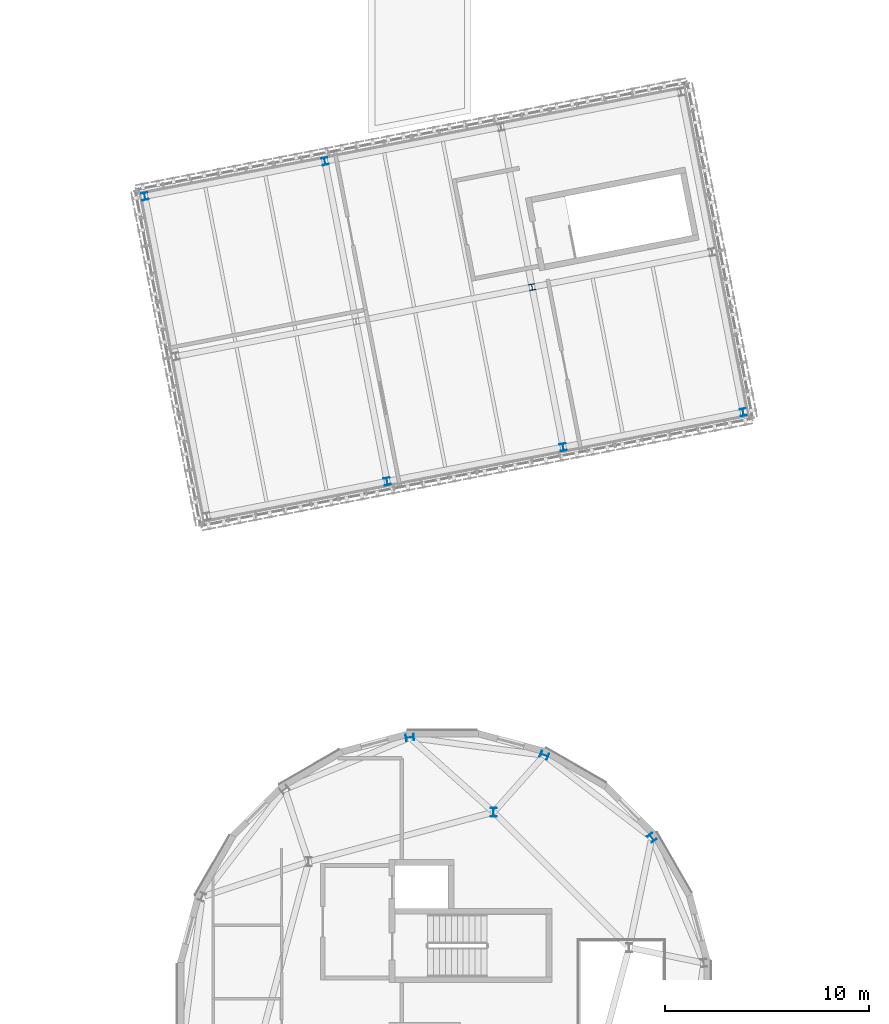
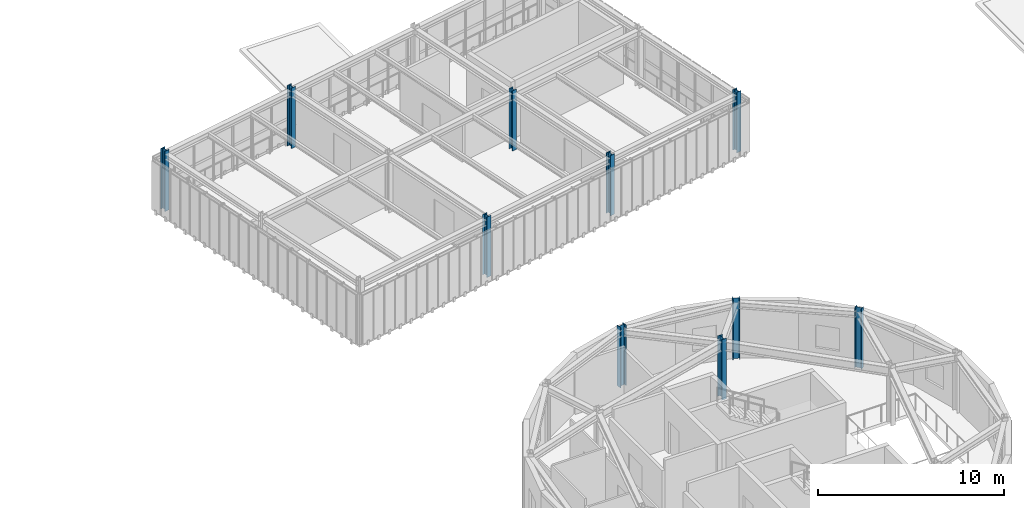
# One storey, part 7 of 44: 10 columns.
"""IFC4 building model written with IfcOpenShell, lengths in metres."""

from ifc_helpers import new_model, si_unit, direction, frame, origin, origin_2d, place, context, subcontext, project, spatial, i_section, extrude, material, material_profile, profile_set, type_object, element, save


model = new_model("IFC4")

# Units and contexts
model_context = context("Model", 3, precision=1e-05, world=origin(), true_north=direction((0.0, 1.0)))
body_context = subcontext(model_context, "Body", "Model", "MODEL_VIEW")
ifc_project = project(units=[si_unit("LENGTHUNIT", "METRE"), si_unit("AREAUNIT", "SQUARE_METRE"), si_unit("VOLUMEUNIT", "CUBIC_METRE"), si_unit("PLANEANGLEUNIT", "RADIAN"), si_unit("MASSUNIT", "GRAM", prefix="KILO")], contexts=[model_context])

# Site, building, storey
site_placement = place(None, origin())
site = spatial("IfcSite", under=ifc_project, at=site_placement, CompositionType="ELEMENT")
building_placement = place(site_placement, origin())
building = spatial("IfcBuilding", under=site, at=building_placement, Name="Varnklinge Art Gallery", CompositionType="ELEMENT")
storey_placement = place(building_placement, frame((0.0, 0.0, 13.679931640625)))
storey = spatial("IfcBuildingStorey", under=building, at=storey_placement, Name="L03", CompositionType="ELEMENT", Elevation=13.679931640625)

# Columns
ifc_material_1 = material(Name="Steel S355", Category="steel")
ifc_material_profile_1 = material_profile(ifc_material_1, i_section(OverallWidth=0.300048828125, OverallDepth=0.449951171875, WebThickness=0.013916015625, FlangeThickness=0.02587890625, FilletRadius=0.027099609375, at=origin_2d()), Name="HEB 450")
ifc_profile_set_1 = profile_set([ifc_material_profile_1], Name="Steel S355")
column_type_1 = type_object("IfcColumnType", Name="COL-06", PredefinedType="COLUMN", material=ifc_profile_set_1)
column_1_placement = place(storey_placement, frame((77.932861328125, 47.57958984375, 0.0), z_axis=(0.0, 0.0, 1.0), x_axis=(1.0, 0.0, 0.0)))
element("IfcColumn", 1, at=column_1_placement, inside=storey, type_object=column_type_1, Name="L03 Column V4CI-2", PredefinedType="COLUMN", context=body_context, shape_type="SweptSolid", body=[
    extrude(i_section(OverallWidth=0.300048828125, OverallDepth=0.449951171875, WebThickness=0.013916015625, FlangeThickness=0.02587890625, FilletRadius=0.027099609375, at=origin_2d()), origin(), (0.0, 0.0, 1.0), 3.9599609375),
])
ifc_material_2 = material(Name="Steel S355", Category="steel")
ifc_material_profile_2 = material_profile(ifc_material_2, i_section(OverallWidth=0.300048828125, OverallDepth=0.300048828125, WebThickness=0.010986328125, FlangeThickness=0.01904296875, FilletRadius=0.027099609375, at=origin_2d()), Name="HEB 300")
ifc_profile_set_2 = profile_set([ifc_material_profile_2], Name="Steel S355")
column_type_2 = type_object("IfcColumnType", Name="COL-10", PredefinedType="COLUMN", material=ifc_profile_set_2)
column_2_placement = place(storey_placement, frame((79.819091796875, 73.339599609375, 0.0), z_axis=(0.0, 0.0, 1.0), x_axis=(0.981627183448, 0.190808995377, 0.0)))
element("IfcColumn", 2, at=column_2_placement, inside=storey, type_object=column_type_2, Name="L03 Column V4BC-3-2", PredefinedType="COLUMN", context=body_context, shape_type="SweptSolid", body=[
    extrude(i_section(OverallWidth=0.300048828125, OverallDepth=0.300048828125, WebThickness=0.010986328125, FlangeThickness=0.01904296875, FilletRadius=0.027099609375, at=origin_2d()), origin(), (0.0, 0.0, 1.0), 3.9599609375),
])
ifc_material_3 = material(Name="Steel S355", Category="steel")
ifc_material_profile_3 = material_profile(ifc_material_3, i_section(OverallWidth=0.300048828125, OverallDepth=0.39990234375, WebThickness=0.013427734375, FlangeThickness=0.02392578125, FilletRadius=0.027099609375, at=origin_2d()), Name="HEB 400")
ifc_profile_set_3 = profile_set([ifc_material_profile_3], Name="Steel S355")
column_type_3 = type_object("IfcColumnType", Name="COL-E3", PredefinedType="COLUMN", material=ifc_profile_set_3)
for number, where, z_axis, x_axis, name in (
    (3, (85.694580078125, 46.322509765625, 0.0), (0.0, 0.0, 1.0), (0.793353340291, 0.608761429009, 0.0), "L03 Column V4CP-02"),
    (4, (80.41748046875, 50.371826171875, 0.0), (0.0, 0.0, 1.0), (0.382683432365, 0.923879532511, 0.0), "L03 Column V4CP-03"),
    (5, (73.82275390625, 51.239990234375, 0.0), (0.0, 0.0, 1.0), (-0.13052619222, 0.991444861374, 0.0), "L03 Column V4CP-04"),
):
    element("IfcColumn", number, at=place(storey_placement, frame(where, z_axis=z_axis, x_axis=x_axis)), inside=storey, type_object=column_type_3, Name=name, PredefinedType="COLUMN", context=body_context, shape_type="SweptSolid", body=[
        extrude(i_section(OverallWidth=0.300048828125, OverallDepth=0.39990234375, WebThickness=0.013427734375, FlangeThickness=0.02392578125, FilletRadius=0.027099609375, at=origin_2d()), origin(), (0.0, 0.0, 1.0), 3.9599609375),
    ])
ifc_material_4 = material(Name="Steel S355", Category="steel")
ifc_material_profile_4 = material_profile(ifc_material_4, i_section(OverallWidth=0.300048828125, OverallDepth=0.360107421875, WebThickness=0.012451171875, FlangeThickness=0.0224609375, FilletRadius=0.027099609375, at=origin_2d()), Name="HEB 360")
ifc_profile_set_4 = profile_set([ifc_material_profile_4], Name="Steel S355")
column_type_4 = type_object("IfcColumnType", Name="COL-E4", PredefinedType="COLUMN", material=ifc_profile_set_4)
for number, where, z_axis, x_axis, name in (
    (6, (60.819580078125, 77.796142578125, 0.0), (0.0, 0.0, 1.0), (0.981627183448, 0.190808995377, 0.0), "L03 Column V4BC-1-3"),
    (7, (72.707275390625, 63.807373046875, 0.0), (0.0, 0.0, 1.0), (0.981627183448, 0.190808995377, 0.0), "L03 Column V4BC-2-1"),
    (8, (69.654296875, 79.513427734375, 0.0), (0.0, 0.0, 1.0), (0.981627183448, 0.190808995377, 0.0), "L03 Column V4BC-2-3"),
    (9, (81.345703125, 65.486572265625, 0.0), (0.0, 0.0, 1.0), (0.981627183448, 0.190808995377, 0.0), "L03 Column V4BC-3-1"),
    (10, (90.180419921875, 67.203857421875, 0.0), (0.0, 0.0, 1.0), (0.981627183448, 0.190808995377, 0.0), "L03 Column V4BC-4-1"),
):
    element("IfcColumn", number, at=place(storey_placement, frame(where, z_axis=z_axis, x_axis=x_axis)), inside=storey, type_object=column_type_4, Name=name, PredefinedType="COLUMN", context=body_context, shape_type="SweptSolid", body=[
        extrude(i_section(OverallWidth=0.300048828125, OverallDepth=0.360107421875, WebThickness=0.012451171875, FlangeThickness=0.0224609375, FilletRadius=0.027099609375, at=origin_2d()), origin(), (0.0, 0.0, 1.0), 3.9599609375),
    ])

save(model, "model.ifc")
